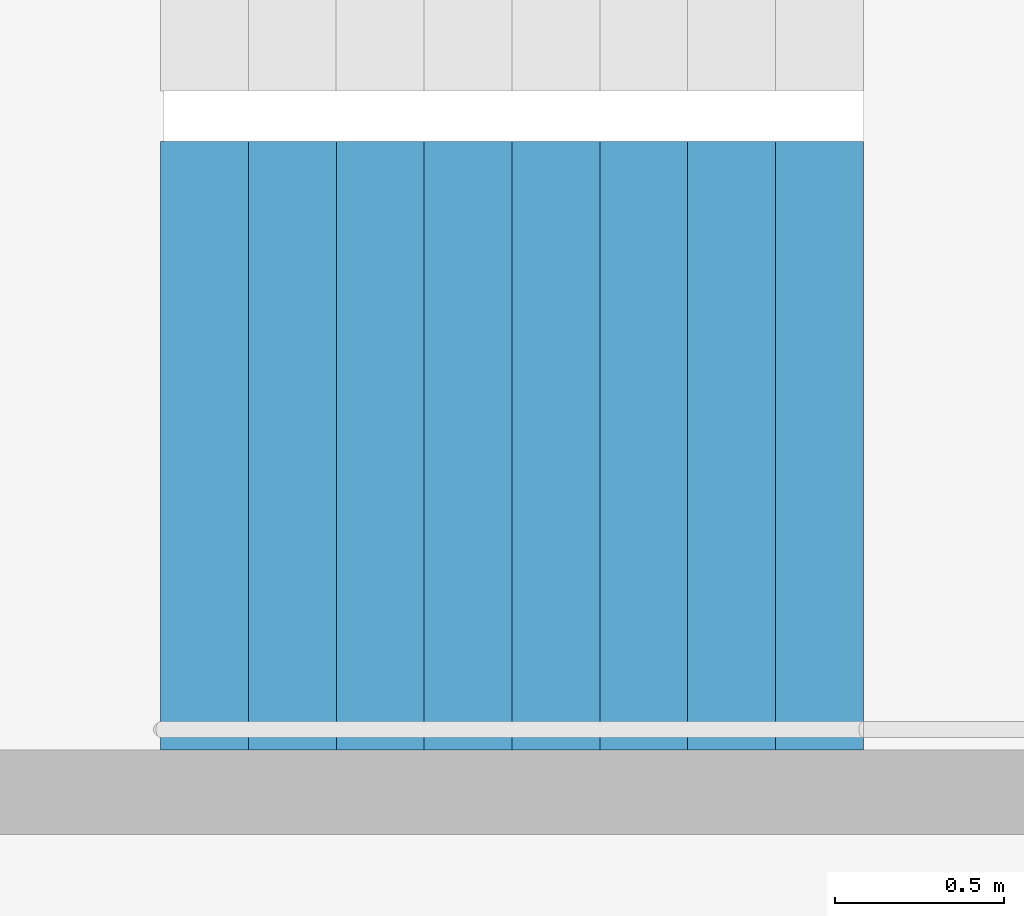
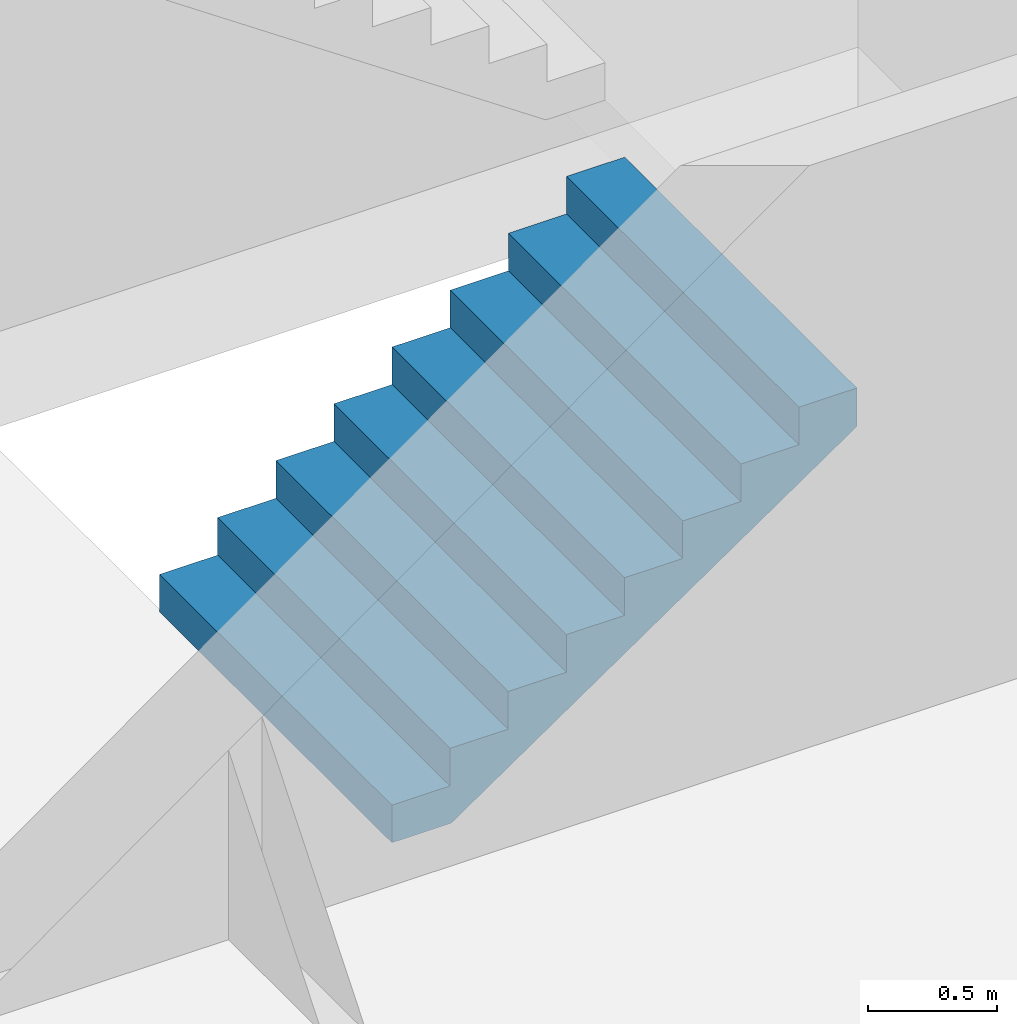
# One storey, part 19 of 25: 1 stair flight, 1 element without a shape of its own.
"""IFC4 building model written with IfcOpenShell, lengths in metres."""

from ifc_helpers import new_model, si_unit, direction, frame, origin, place, context, subcontext, project, spatial, triangles, material, type_object, element, aggregate, save


model = new_model("IFC4")

# Units and contexts
model_context = context("Model", 3, precision=1e-05, world=origin(), true_north=direction((0.0, 1.0)))
body_context = subcontext(model_context, "Body", "Model", "MODEL_VIEW")
ifc_project = project(units=[si_unit("LENGTHUNIT", "METRE"), si_unit("AREAUNIT", "SQUARE_METRE"), si_unit("VOLUMEUNIT", "CUBIC_METRE"), si_unit("PLANEANGLEUNIT", "RADIAN"), si_unit("MASSUNIT", "GRAM", prefix="KILO")], contexts=[model_context])

# Site, building, storey
site_placement = place(None, origin())
site = spatial("IfcSite", under=ifc_project, at=site_placement, CompositionType="ELEMENT")
building_placement = place(site_placement, origin())
building = spatial("IfcBuilding", under=site, at=building_placement, Name="Hakoniwa Tower and Hamabe Station Hall", CompositionType="ELEMENT")
storey_placement = place(building_placement, frame((0.0, 0.0, 147.0)))
storey = spatial("IfcBuildingStorey", under=building, at=storey_placement, Name="L41", CompositionType="ELEMENT", Elevation=147.0)

# Stair, stair flight
ifc_material_1 = material(Name="Concrete C40", Category="concrete")
stair_type = type_object("IfcStairType", Name="ESCAPE STAIR 1800", PredefinedType="HALF_TURN_STAIR", material=ifc_material_1)
stair_placement = place(storey_placement, origin())
stair = element("IfcStair", 1, at=stair_placement, inside=storey, type_object=stair_type, Name="Escape stair ST-1 L41", PredefinedType="HALF_TURN_STAIR")
ifc_material_2 = material(Name="Concrete C40", Category="concrete")
stair_flight_type = type_object("IfcStairFlightType", Name="STAIR FLIGHT 1800", PredefinedType="STRAIGHT", material=ifc_material_2)
stair_flight_placement = place(storey_placement, frame((-24.39990234375, 4.64990234375, 0.0), z_axis=(0.0, 0.0, 1.0), x_axis=(1.0, 0.0, 0.0)))
stair_flight = element("IfcStairFlight", 2, at=stair_flight_placement, type_object=stair_flight_type, Name="ST-1 flight 1", NumberOfRisers=9, NumberOfTreads=8, PredefinedType="STRAIGHT", RiserHeight=0.177777778, TreadLength=0.26, context=body_context, shape_type="Tessellation", body=[
    triangles([(0.0, 0.89990234375, 0.0), (0.260009765625, 0.89990234375, 0.0), (0.265625, 0.89990234375, 0.0), (0.52001953125, 0.89990234375, 0.174072265625), (0.780029296875, 0.89990234375, 0.351806640625), (1.0400390625, 0.89990234375, 0.529541015625), (1.300048828125, 0.89990234375, 0.707275390625), (1.56005859375, 0.89990234375, 0.885009765625), (1.820068359375, 0.89990234375, 1.062744140625), (2.080078125, 0.89990234375, 1.24072265625), (2.080078125, 0.89990234375, 1.422119140625), (1.820068359375, 0.89990234375, 1.422119140625), (1.820068359375, 0.89990234375, 1.244384765625), (1.56005859375, 0.89990234375, 1.244384765625), (1.56005859375, 0.89990234375, 1.066650390625), (1.300048828125, 0.89990234375, 1.066650390625), (1.300048828125, 0.89990234375, 0.888916015625), (1.0400390625, 0.89990234375, 0.888916015625), (1.0400390625, 0.89990234375, 0.711181640625), (0.780029296875, 0.89990234375, 0.711181640625), (0.780029296875, 0.89990234375, 0.533447265625), (0.52001953125, 0.89990234375, 0.533447265625), (0.52001953125, 0.89990234375, 0.35546875), (0.265625, 0.89990234375, 0.35546875), (0.260009765625, 0.89990234375, 0.35546875), (0.260009765625, 0.89990234375, 0.177734375), (0.0, 0.89990234375, 0.177734375), (0.0, 0.06005859375, 0.0), (0.260009765625, 0.06005859375, 0.0), (0.265625, 0.06005859375, 0.0), (0.52001953125, 0.06005859375, 0.174072265625), (0.780029296875, 0.06005859375, 0.351806640625), (1.0400390625, 0.06005859375, 0.529541015625), (1.300048828125, 0.06005859375, 0.707275390625), (1.56005859375, 0.06005859375, 0.885009765625), (1.820068359375, 0.06005859375, 1.062744140625), (2.080078125, 0.06005859375, 1.24072265625), (2.080078125, 0.06005859375, 1.422119140625), (1.820068359375, 0.06005859375, 1.422119140625), (1.820068359375, 0.06005859375, 1.244384765625), (1.56005859375, 0.06005859375, 1.244384765625), (1.56005859375, 0.06005859375, 1.066650390625), (1.300048828125, 0.06005859375, 1.066650390625), (1.300048828125, 0.06005859375, 0.888916015625), (1.0400390625, 0.06005859375, 0.888916015625), (1.0400390625, 0.06005859375, 0.711181640625), (0.780029296875, 0.06005859375, 0.711181640625), (0.780029296875, 0.06005859375, 0.533447265625), (0.52001953125, 0.06005859375, 0.533447265625), (0.52001953125, 0.06005859375, 0.35546875), (0.265625, 0.06005859375, 0.35546875), (0.260009765625, 0.06005859375, 0.35546875), (0.260009765625, 0.06005859375, 0.177734375), (0.0, 0.06005859375, 0.177734375), (0.0, 0.04296875, 0.0), (0.260009765625, 0.04296875, 0.0), (0.265625, 0.04296875, 0.0), (0.52001953125, 0.04296875, 0.174072265625), (0.780029296875, 0.04296875, 0.351806640625), (1.0400390625, 0.04296875, 0.529541015625), (1.300048828125, 0.04296875, 0.707275390625), (1.56005859375, 0.04296875, 0.885009765625), (1.820068359375, 0.04296875, 1.062744140625), (2.080078125, 0.04296875, 1.24072265625), (2.080078125, 0.04296875, 1.422119140625), (1.820068359375, 0.04296875, 1.422119140625), (1.820068359375, 0.04296875, 1.244384765625), (1.56005859375, 0.04296875, 1.244384765625), (1.56005859375, 0.04296875, 1.066650390625), (1.300048828125, 0.04296875, 1.066650390625), (1.300048828125, 0.04296875, 0.888916015625), (1.0400390625, 0.04296875, 0.888916015625), (1.0400390625, 0.04296875, 0.711181640625), (0.780029296875, 0.04296875, 0.711181640625), (0.780029296875, 0.04296875, 0.533447265625), (0.52001953125, 0.04296875, 0.533447265625), (0.52001953125, 0.04296875, 0.35546875), (0.265625, 0.04296875, 0.35546875), (0.260009765625, 0.04296875, 0.35546875), (0.260009765625, 0.04296875, 0.177734375), (0.0, 0.04296875, 0.177734375), (0.0, 0.025634765625, 0.0), (0.260009765625, 0.025634765625, 0.0), (0.265625, 0.025634765625, 0.0), (0.52001953125, 0.025634765625, 0.174072265625), (0.780029296875, 0.025634765625, 0.351806640625), (1.0400390625, 0.025634765625, 0.529541015625), (1.300048828125, 0.025634765625, 0.707275390625), (1.56005859375, 0.025634765625, 0.885009765625), (1.820068359375, 0.025634765625, 1.062744140625), (2.080078125, 0.025634765625, 1.24072265625), (2.080078125, 0.025634765625, 1.422119140625), (1.820068359375, 0.025634765625, 1.422119140625), (1.820068359375, 0.025634765625, 1.244384765625), (1.56005859375, 0.025634765625, 1.244384765625), (1.56005859375, 0.025634765625, 1.066650390625), (1.300048828125, 0.025634765625, 1.066650390625), (1.300048828125, 0.025634765625, 0.888916015625), (1.0400390625, 0.025634765625, 0.888916015625), (1.0400390625, 0.025634765625, 0.711181640625), (0.780029296875, 0.025634765625, 0.711181640625), (0.780029296875, 0.025634765625, 0.533447265625), (0.52001953125, 0.025634765625, 0.533447265625), (0.52001953125, 0.025634765625, 0.35546875), (0.265625, 0.025634765625, 0.35546875), (0.260009765625, 0.025634765625, 0.35546875), (0.260009765625, 0.025634765625, 0.177734375), (0.0, 0.025634765625, 0.177734375), (0.0, 0.008544921875, 0.0), (0.260009765625, 0.008544921875, 0.0), (0.265625, 0.008544921875, 0.0), (0.52001953125, 0.008544921875, 0.174072265625), (0.780029296875, 0.008544921875, 0.351806640625), (1.0400390625, 0.008544921875, 0.529541015625), (1.300048828125, 0.008544921875, 0.707275390625), (1.56005859375, 0.008544921875, 0.885009765625), (1.820068359375, 0.008544921875, 1.062744140625), (2.080078125, 0.008544921875, 1.24072265625), (2.080078125, 0.008544921875, 1.422119140625), (1.820068359375, 0.008544921875, 1.422119140625), (1.820068359375, 0.008544921875, 1.244384765625), (1.56005859375, 0.008544921875, 1.244384765625), (1.56005859375, 0.008544921875, 1.066650390625), (1.300048828125, 0.008544921875, 1.066650390625), (1.300048828125, 0.008544921875, 0.888916015625), (1.0400390625, 0.008544921875, 0.888916015625), (1.0400390625, 0.008544921875, 0.711181640625), (0.780029296875, 0.008544921875, 0.711181640625), (0.780029296875, 0.008544921875, 0.533447265625), (0.52001953125, 0.008544921875, 0.533447265625), (0.52001953125, 0.008544921875, 0.35546875), (0.265625, 0.008544921875, 0.35546875), (0.260009765625, 0.008544921875, 0.35546875), (0.260009765625, 0.008544921875, 0.177734375), (0.0, 0.008544921875, 0.177734375), (0.0, -0.008544921875, 0.0), (0.260009765625, -0.008544921875, 0.0), (0.265625, -0.008544921875, 0.0), (0.52001953125, -0.008544921875, 0.174072265625), (0.780029296875, -0.008544921875, 0.351806640625), (1.0400390625, -0.008544921875, 0.529541015625), (1.300048828125, -0.008544921875, 0.707275390625), (1.56005859375, -0.008544921875, 0.885009765625), (1.820068359375, -0.008544921875, 1.062744140625), (2.080078125, -0.008544921875, 1.24072265625), (2.080078125, -0.008544921875, 1.422119140625), (1.820068359375, -0.008544921875, 1.422119140625), (1.820068359375, -0.008544921875, 1.244384765625), (1.56005859375, -0.008544921875, 1.244384765625), (1.56005859375, -0.008544921875, 1.066650390625), (1.300048828125, -0.008544921875, 1.066650390625), (1.300048828125, -0.008544921875, 0.888916015625), (1.0400390625, -0.008544921875, 0.888916015625), (1.0400390625, -0.008544921875, 0.711181640625), (0.780029296875, -0.008544921875, 0.711181640625), (0.780029296875, -0.008544921875, 0.533447265625), (0.52001953125, -0.008544921875, 0.533447265625), (0.52001953125, -0.008544921875, 0.35546875), (0.265625, -0.008544921875, 0.35546875), (0.260009765625, -0.008544921875, 0.35546875), (0.260009765625, -0.008544921875, 0.177734375), (0.0, -0.008544921875, 0.177734375), (0.0, -0.025634765625, 0.0), (0.260009765625, -0.025634765625, 0.0), (0.265625, -0.025634765625, 0.0), (0.52001953125, -0.025634765625, 0.174072265625), (0.780029296875, -0.025634765625, 0.351806640625), (1.0400390625, -0.025634765625, 0.529541015625), (1.300048828125, -0.025634765625, 0.707275390625), (1.56005859375, -0.025634765625, 0.885009765625), (1.820068359375, -0.025634765625, 1.062744140625), (2.080078125, -0.025634765625, 1.24072265625), (2.080078125, -0.025634765625, 1.422119140625), (1.820068359375, -0.025634765625, 1.422119140625), (1.820068359375, -0.025634765625, 1.244384765625), (1.56005859375, -0.025634765625, 1.244384765625), (1.56005859375, -0.025634765625, 1.066650390625), (1.300048828125, -0.025634765625, 1.066650390625), (1.300048828125, -0.025634765625, 0.888916015625), (1.0400390625, -0.025634765625, 0.888916015625), (1.0400390625, -0.025634765625, 0.711181640625), (0.780029296875, -0.025634765625, 0.711181640625), (0.780029296875, -0.025634765625, 0.533447265625), (0.52001953125, -0.025634765625, 0.533447265625), (0.52001953125, -0.025634765625, 0.35546875), (0.265625, -0.025634765625, 0.35546875), (0.260009765625, -0.025634765625, 0.35546875), (0.260009765625, -0.025634765625, 0.177734375), (0.0, -0.025634765625, 0.177734375), (0.0, -0.04296875, 0.0), (0.260009765625, -0.04296875, 0.0), (0.265625, -0.04296875, 0.0), (0.52001953125, -0.04296875, 0.174072265625), (0.780029296875, -0.04296875, 0.351806640625), (1.0400390625, -0.04296875, 0.529541015625), (1.300048828125, -0.04296875, 0.707275390625), (1.56005859375, -0.04296875, 0.885009765625), (1.820068359375, -0.04296875, 1.062744140625), (2.080078125, -0.04296875, 1.24072265625), (2.080078125, -0.04296875, 1.422119140625), (1.820068359375, -0.04296875, 1.422119140625), (1.820068359375, -0.04296875, 1.244384765625), (1.56005859375, -0.04296875, 1.244384765625), (1.56005859375, -0.04296875, 1.066650390625), (1.300048828125, -0.04296875, 1.066650390625), (1.300048828125, -0.04296875, 0.888916015625), (1.0400390625, -0.04296875, 0.888916015625), (1.0400390625, -0.04296875, 0.711181640625), (0.780029296875, -0.04296875, 0.711181640625), (0.780029296875, -0.04296875, 0.533447265625), (0.52001953125, -0.04296875, 0.533447265625), (0.52001953125, -0.04296875, 0.35546875), (0.265625, -0.04296875, 0.35546875), (0.260009765625, -0.04296875, 0.35546875), (0.260009765625, -0.04296875, 0.177734375), (0.0, -0.04296875, 0.177734375), (0.0, -0.06005859375, 0.0), (0.260009765625, -0.06005859375, 0.0), (0.265625, -0.06005859375, 0.0), (0.52001953125, -0.06005859375, 0.174072265625), (0.780029296875, -0.06005859375, 0.351806640625), (1.0400390625, -0.06005859375, 0.529541015625), (1.300048828125, -0.06005859375, 0.707275390625), (1.56005859375, -0.06005859375, 0.885009765625), (1.820068359375, -0.06005859375, 1.062744140625), (2.080078125, -0.06005859375, 1.24072265625), (2.080078125, -0.06005859375, 1.422119140625), (1.820068359375, -0.06005859375, 1.422119140625), (1.820068359375, -0.06005859375, 1.244384765625), (1.56005859375, -0.06005859375, 1.244384765625), (1.56005859375, -0.06005859375, 1.066650390625), (1.300048828125, -0.06005859375, 1.066650390625), (1.300048828125, -0.06005859375, 0.888916015625), (1.0400390625, -0.06005859375, 0.888916015625), (1.0400390625, -0.06005859375, 0.711181640625), (0.780029296875, -0.06005859375, 0.711181640625), (0.780029296875, -0.06005859375, 0.533447265625), (0.52001953125, -0.06005859375, 0.533447265625), (0.52001953125, -0.06005859375, 0.35546875), (0.265625, -0.06005859375, 0.35546875), (0.260009765625, -0.06005859375, 0.35546875), (0.260009765625, -0.06005859375, 0.177734375), (0.0, -0.06005859375, 0.177734375), (0.0, -0.89990234375, 0.0), (0.260009765625, -0.89990234375, 0.0), (0.265625, -0.89990234375, 0.0), (0.52001953125, -0.89990234375, 0.174072265625), (0.780029296875, -0.89990234375, 0.351806640625), (1.0400390625, -0.89990234375, 0.529541015625), (1.300048828125, -0.89990234375, 0.707275390625), (1.56005859375, -0.89990234375, 0.885009765625), (1.820068359375, -0.89990234375, 1.062744140625), (2.080078125, -0.89990234375, 1.24072265625), (2.080078125, -0.89990234375, 1.422119140625), (1.820068359375, -0.89990234375, 1.422119140625), (1.820068359375, -0.89990234375, 1.244384765625), (1.56005859375, -0.89990234375, 1.244384765625), (1.56005859375, -0.89990234375, 1.066650390625), (1.300048828125, -0.89990234375, 1.066650390625), (1.300048828125, -0.89990234375, 0.888916015625), (1.0400390625, -0.89990234375, 0.888916015625), (1.0400390625, -0.89990234375, 0.711181640625), (0.780029296875, -0.89990234375, 0.711181640625), (0.780029296875, -0.89990234375, 0.533447265625), (0.52001953125, -0.89990234375, 0.533447265625), (0.52001953125, -0.89990234375, 0.35546875), (0.265625, -0.89990234375, 0.35546875), (0.260009765625, -0.89990234375, 0.35546875), (0.260009765625, -0.89990234375, 0.177734375), (0.0, -0.89990234375, 0.177734375)], [[2, 27, 26], [245, 269, 270], [2, 1, 27], [245, 270, 244], [3, 25, 24], [246, 267, 268], [3, 26, 25], [246, 268, 269], [3, 2, 26], [246, 269, 245], [4, 24, 23], [247, 266, 267], [4, 3, 24], [247, 267, 246], [5, 22, 21], [248, 264, 265], [5, 23, 22], [248, 265, 266], [5, 4, 23], [248, 266, 247], [6, 20, 19], [249, 262, 263], [6, 21, 20], [249, 263, 264], [6, 5, 21], [249, 264, 248], [7, 18, 17], [250, 260, 261], [7, 19, 18], [250, 261, 262], [7, 6, 19], [250, 262, 249], [8, 16, 15], [251, 258, 259], [8, 17, 16], [251, 259, 260], [8, 7, 17], [251, 260, 250], [9, 14, 13], [252, 256, 257], [9, 15, 14], [252, 257, 258], [9, 8, 15], [252, 258, 251], [10, 12, 11], [253, 254, 255], [10, 13, 12], [253, 255, 256], [10, 9, 13], [253, 256, 252], [1, 2, 29], [1, 29, 28], [28, 29, 56], [28, 56, 55], [55, 56, 83], [55, 83, 82], [82, 83, 110], [82, 110, 109], [109, 110, 137], [109, 137, 136], [136, 137, 164], [136, 164, 163], [163, 164, 191], [163, 191, 190], [190, 191, 218], [190, 218, 217], [217, 218, 245], [217, 245, 244], [2, 3, 30], [2, 30, 29], [29, 30, 57], [29, 57, 56], [56, 57, 84], [56, 84, 83], [83, 84, 111], [83, 111, 110], [110, 111, 138], [110, 138, 137], [137, 138, 165], [137, 165, 164], [164, 165, 192], [164, 192, 191], [191, 192, 219], [191, 219, 218], [218, 219, 246], [218, 246, 245], [3, 4, 31], [3, 31, 30], [30, 31, 58], [30, 58, 57], [57, 58, 85], [57, 85, 84], [84, 85, 112], [84, 112, 111], [111, 112, 139], [111, 139, 138], [138, 139, 166], [138, 166, 165], [165, 166, 193], [165, 193, 192], [192, 193, 220], [192, 220, 219], [219, 220, 247], [219, 247, 246], [4, 5, 32], [4, 32, 31], [31, 32, 59], [31, 59, 58], [58, 59, 86], [58, 86, 85], [85, 86, 113], [85, 113, 112], [112, 113, 140], [112, 140, 139], [139, 140, 167], [139, 167, 166], [166, 167, 194], [166, 194, 193], [193, 194, 221], [193, 221, 220], [220, 221, 248], [220, 248, 247], [5, 6, 33], [5, 33, 32], [32, 33, 60], [32, 60, 59], [59, 60, 87], [59, 87, 86], [86, 87, 114], [86, 114, 113], [113, 114, 141], [113, 141, 140], [140, 141, 168], [140, 168, 167], [167, 168, 195], [167, 195, 194], [194, 195, 222], [194, 222, 221], [221, 222, 249], [221, 249, 248], [6, 7, 34], [6, 34, 33], [33, 34, 61], [33, 61, 60], [60, 61, 88], [60, 88, 87], [87, 88, 115], [87, 115, 114], [114, 115, 142], [114, 142, 141], [141, 142, 169], [141, 169, 168], [168, 169, 196], [168, 196, 195], [195, 196, 223], [195, 223, 222], [222, 223, 250], [222, 250, 249], [7, 8, 35], [7, 35, 34], [34, 35, 62], [34, 62, 61], [61, 62, 89], [61, 89, 88], [88, 89, 116], [88, 116, 115], [115, 116, 143], [115, 143, 142], [142, 143, 170], [142, 170, 169], [169, 170, 197], [169, 197, 196], [196, 197, 224], [196, 224, 223], [223, 224, 251], [223, 251, 250], [8, 9, 36], [8, 36, 35], [35, 36, 63], [35, 63, 62], [62, 63, 90], [62, 90, 89], [89, 90, 117], [89, 117, 116], [116, 117, 144], [116, 144, 143], [143, 144, 171], [143, 171, 170], [170, 171, 198], [170, 198, 197], [197, 198, 225], [197, 225, 224], [224, 225, 252], [224, 252, 251], [9, 10, 37], [9, 37, 36], [36, 37, 64], [36, 64, 63], [63, 64, 91], [63, 91, 90], [90, 91, 118], [90, 118, 117], [117, 118, 145], [117, 145, 144], [144, 145, 172], [144, 172, 171], [171, 172, 199], [171, 199, 198], [198, 199, 226], [198, 226, 225], [225, 226, 253], [225, 253, 252], [10, 11, 38], [10, 38, 37], [37, 38, 65], [37, 65, 64], [64, 65, 92], [64, 92, 91], [91, 92, 119], [91, 119, 118], [118, 119, 146], [118, 146, 145], [145, 146, 173], [145, 173, 172], [172, 173, 200], [172, 200, 199], [199, 200, 227], [199, 227, 226], [226, 227, 254], [226, 254, 253], [11, 12, 39], [11, 39, 38], [38, 39, 66], [38, 66, 65], [65, 66, 93], [65, 93, 92], [92, 93, 120], [92, 120, 119], [119, 120, 147], [119, 147, 146], [146, 147, 174], [146, 174, 173], [173, 174, 201], [173, 201, 200], [200, 201, 228], [200, 228, 227], [227, 228, 255], [227, 255, 254], [12, 13, 40], [12, 40, 39], [39, 40, 67], [39, 67, 66], [66, 67, 94], [66, 94, 93], [93, 94, 121], [93, 121, 120], [120, 121, 148], [120, 148, 147], [147, 148, 175], [147, 175, 174], [174, 175, 202], [174, 202, 201], [201, 202, 229], [201, 229, 228], [228, 229, 256], [228, 256, 255], [13, 14, 41], [13, 41, 40], [40, 41, 68], [40, 68, 67], [67, 68, 95], [67, 95, 94], [94, 95, 122], [94, 122, 121], [121, 122, 149], [121, 149, 148], [148, 149, 176], [148, 176, 175], [175, 176, 203], [175, 203, 202], [202, 203, 230], [202, 230, 229], [229, 230, 257], [229, 257, 256], [14, 15, 42], [14, 42, 41], [41, 42, 69], [41, 69, 68], [68, 69, 96], [68, 96, 95], [95, 96, 123], [95, 123, 122], [122, 123, 150], [122, 150, 149], [149, 150, 177], [149, 177, 176], [176, 177, 204], [176, 204, 203], [203, 204, 231], [203, 231, 230], [230, 231, 258], [230, 258, 257], [15, 16, 43], [15, 43, 42], [42, 43, 70], [42, 70, 69], [69, 70, 97], [69, 97, 96], [96, 97, 124], [96, 124, 123], [123, 124, 151], [123, 151, 150], [150, 151, 178], [150, 178, 177], [177, 178, 205], [177, 205, 204], [204, 205, 232], [204, 232, 231], [231, 232, 259], [231, 259, 258], [16, 17, 44], [16, 44, 43], [43, 44, 71], [43, 71, 70], [70, 71, 98], [70, 98, 97], [97, 98, 125], [97, 125, 124], [124, 125, 152], [124, 152, 151], [151, 152, 179], [151, 179, 178], [178, 179, 206], [178, 206, 205], [205, 206, 233], [205, 233, 232], [232, 233, 260], [232, 260, 259], [17, 18, 45], [17, 45, 44], [44, 45, 72], [44, 72, 71], [71, 72, 99], [71, 99, 98], [98, 99, 126], [98, 126, 125], [125, 126, 153], [125, 153, 152], [152, 153, 180], [152, 180, 179], [179, 180, 207], [179, 207, 206], [206, 207, 234], [206, 234, 233], [233, 234, 261], [233, 261, 260], [18, 19, 46], [18, 46, 45], [45, 46, 73], [45, 73, 72], [72, 73, 100], [72, 100, 99], [99, 100, 127], [99, 127, 126], [126, 127, 154], [126, 154, 153], [153, 154, 181], [153, 181, 180], [180, 181, 208], [180, 208, 207], [207, 208, 235], [207, 235, 234], [234, 235, 262], [234, 262, 261], [19, 20, 47], [19, 47, 46], [46, 47, 74], [46, 74, 73], [73, 74, 101], [73, 101, 100], [100, 101, 128], [100, 128, 127], [127, 128, 155], [127, 155, 154], [154, 155, 182], [154, 182, 181], [181, 182, 209], [181, 209, 208], [208, 209, 236], [208, 236, 235], [235, 236, 263], [235, 263, 262], [20, 21, 48], [20, 48, 47], [47, 48, 75], [47, 75, 74], [74, 75, 102], [74, 102, 101], [101, 102, 129], [101, 129, 128], [128, 129, 156], [128, 156, 155], [155, 156, 183], [155, 183, 182], [182, 183, 210], [182, 210, 209], [209, 210, 237], [209, 237, 236], [236, 237, 264], [236, 264, 263], [21, 22, 49], [21, 49, 48], [48, 49, 76], [48, 76, 75], [75, 76, 103], [75, 103, 102], [102, 103, 130], [102, 130, 129], [129, 130, 157], [129, 157, 156], [156, 157, 184], [156, 184, 183], [183, 184, 211], [183, 211, 210], [210, 211, 238], [210, 238, 237], [237, 238, 265], [237, 265, 264], [22, 23, 50], [22, 50, 49], [49, 50, 77], [49, 77, 76], [76, 77, 104], [76, 104, 103], [103, 104, 131], [103, 131, 130], [130, 131, 158], [130, 158, 157], [157, 158, 185], [157, 185, 184], [184, 185, 212], [184, 212, 211], [211, 212, 239], [211, 239, 238], [238, 239, 266], [238, 266, 265], [23, 24, 51], [23, 51, 50], [50, 51, 78], [50, 78, 77], [77, 78, 105], [77, 105, 104], [104, 105, 132], [104, 132, 131], [131, 132, 159], [131, 159, 158], [158, 159, 186], [158, 186, 185], [185, 186, 213], [185, 213, 212], [212, 213, 240], [212, 240, 239], [239, 240, 267], [239, 267, 266], [24, 25, 52], [24, 52, 51], [51, 52, 79], [51, 79, 78], [78, 79, 106], [78, 106, 105], [105, 106, 133], [105, 133, 132], [132, 133, 160], [132, 160, 159], [159, 160, 187], [159, 187, 186], [186, 187, 214], [186, 214, 213], [213, 214, 241], [213, 241, 240], [240, 241, 268], [240, 268, 267], [25, 26, 53], [25, 53, 52], [52, 53, 80], [52, 80, 79], [79, 80, 107], [79, 107, 106], [106, 107, 134], [106, 134, 133], [133, 134, 161], [133, 161, 160], [160, 161, 188], [160, 188, 187], [187, 188, 215], [187, 215, 214], [214, 215, 242], [214, 242, 241], [241, 242, 269], [241, 269, 268], [26, 27, 54], [26, 54, 53], [53, 54, 81], [53, 81, 80], [80, 81, 108], [80, 108, 107], [107, 108, 135], [107, 135, 134], [134, 135, 162], [134, 162, 161], [161, 162, 189], [161, 189, 188], [188, 189, 216], [188, 216, 215], [215, 216, 243], [215, 243, 242], [242, 243, 270], [242, 270, 269], [27, 1, 28], [27, 28, 54], [54, 28, 55], [54, 55, 81], [81, 55, 82], [81, 82, 108], [108, 82, 109], [108, 109, 135], [135, 109, 136], [135, 136, 162], [162, 136, 163], [162, 163, 189], [189, 163, 190], [189, 190, 216], [216, 190, 217], [216, 217, 243], [243, 217, 244], [243, 244, 270]], closed=True),
])
aggregate(stair, [stair_flight])

save(model, "model.ifc")
